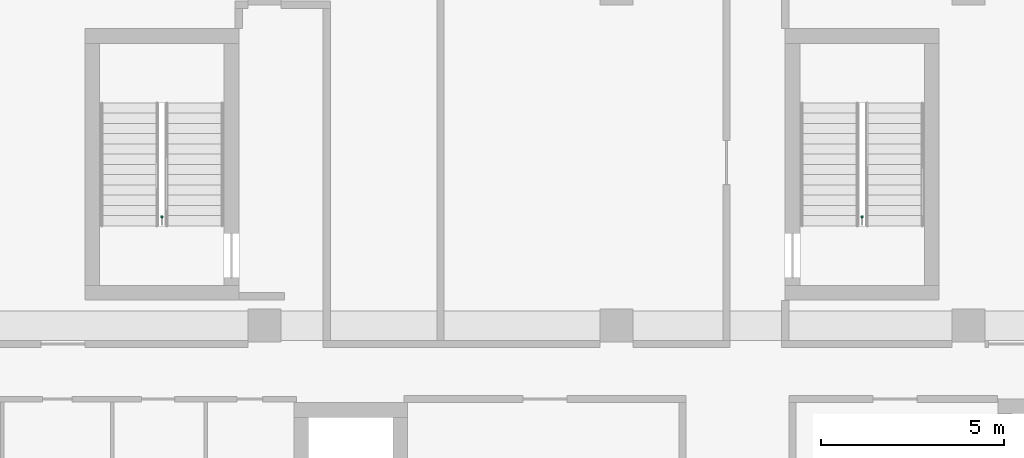
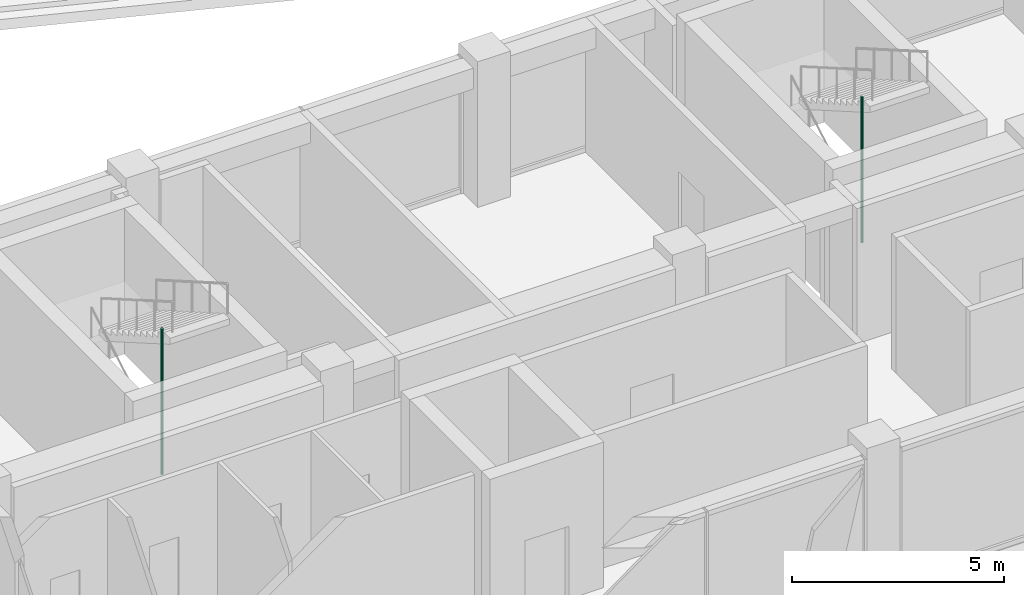
# One storey, part 34 of 36: 2 pipe segments.
"""IFC4 building model written with IfcOpenShell, lengths in metres."""

from ifc_helpers import new_model, si_unit, direction, frame, origin, origin_2d, place, context, subcontext, project, spatial, circle, extrude, element, save


model = new_model("IFC4")

# Units and contexts
model_context = context("Model", 3, precision=1e-05, world=origin(), true_north=direction((0.0, 1.0)))
body_context = subcontext(model_context, "Body", "Model", "MODEL_VIEW")
ifc_project = project(units=[si_unit("LENGTHUNIT", "METRE"), si_unit("AREAUNIT", "SQUARE_METRE"), si_unit("VOLUMEUNIT", "CUBIC_METRE"), si_unit("PLANEANGLEUNIT", "RADIAN"), si_unit("MASSUNIT", "GRAM", prefix="KILO")], contexts=[model_context])

# Site, building, storey
site_placement = place(None, origin())
site = spatial("IfcSite", under=ifc_project, at=site_placement, CompositionType="ELEMENT")
building_placement = place(site_placement, origin())
building = spatial("IfcBuilding", under=site, at=building_placement, Name="Nzadi Deep Aquarium and Research Tower", CompositionType="ELEMENT")
storey_placement = place(building_placement, frame((0.0, 0.0, 40.300048828125)))
storey = spatial("IfcBuildingStorey", under=building, at=storey_placement, Name="L07", CompositionType="ELEMENT", Elevation=40.300048828125)

# Pipe segments
for number, where, z_axis, x_axis, name in (
    (1, (6.800048828125, 39.77001953125, 0.0), (0.0, 0.0, 1.0), (1.0, 0.0, 0.0), "Dry riser ST-Z1-NW L07"),
    (2, (25.89990234375, 39.77001953125, 0.0), (0.0, 0.0, 1.0), (1.0, 0.0, 0.0), "Dry riser ST-Z1-NE L07"),
):
    element("IfcPipeSegment", number, at=place(storey_placement, frame(where, z_axis=z_axis, x_axis=x_axis)), inside=storey, Name=name, PredefinedType="RIGIDSEGMENT", context=body_context, shape_type="SweptSolid", body=[
        extrude(circle(Radius=0.034912109375, at=origin_2d()), origin(), (0.0, 0.0, 1.0), 4.199951171875),
    ])

save(model, "model.ifc")
